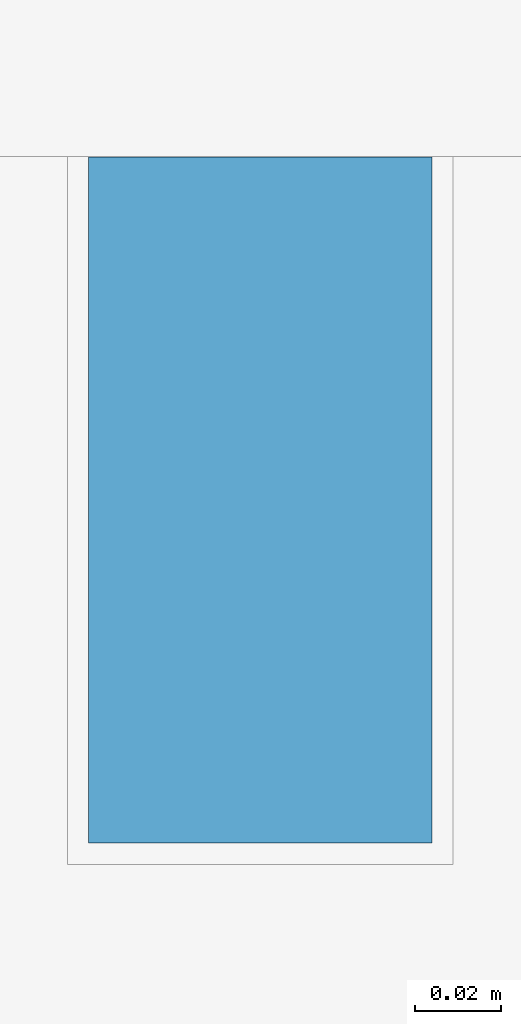
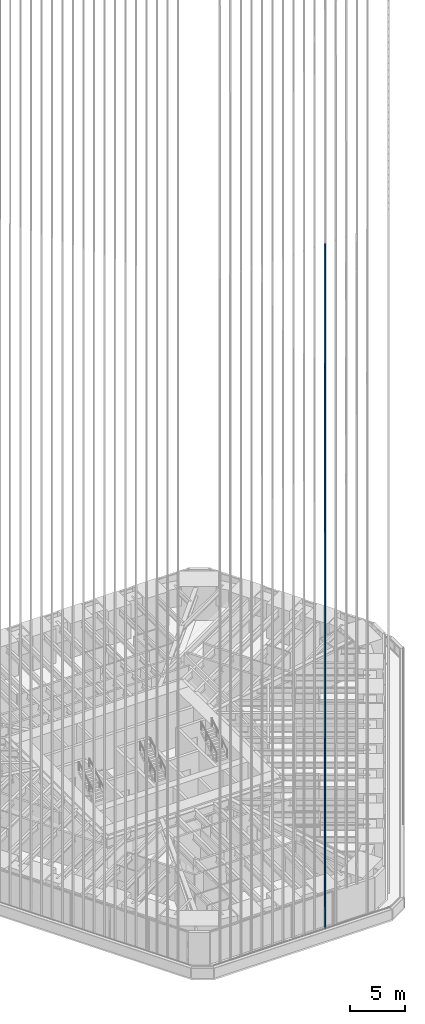
# One storey, part 61 of 238: 1 member, 1 element without a shape of its own.
"""IFC4 building model written with IfcOpenShell, lengths in metres."""

from ifc_helpers import new_model, si_unit, direction, frame, origin, origin_2d, place, context, subcontext, project, spatial, rectangle, extrude, material, material_profile, profile_set, type_object, element, aggregate, save


model = new_model("IFC4")

# Units and contexts
model_context = context("Model", 3, precision=1e-05, world=origin(), true_north=direction((0.0, 1.0)))
body_context = subcontext(model_context, "Body", "Model", "MODEL_VIEW")
ifc_project = project(units=[si_unit("LENGTHUNIT", "METRE"), si_unit("AREAUNIT", "SQUARE_METRE"), si_unit("VOLUMEUNIT", "CUBIC_METRE"), si_unit("PLANEANGLEUNIT", "RADIAN"), si_unit("MASSUNIT", "GRAM", prefix="KILO")], contexts=[model_context])

# Site, building, storey
site_placement = place(None, origin())
site = spatial("IfcSite", under=ifc_project, at=site_placement, CompositionType="ELEMENT")
building_placement = place(site_placement, origin())
building = spatial("IfcBuilding", under=site, at=building_placement, Name="Sandreach Pilgrim Tower", CompositionType="ELEMENT")
storey_placement = place(building_placement, frame((0.0, 0.0, 96.800048828125)))
storey = spatial("IfcBuildingStorey", under=building, at=storey_placement, Name="L23", CompositionType="ELEMENT", Elevation=96.800048828125)

# Curtain wall, member
ifc_material_1 = material(Name="Aluminium framed curtain wall", Category="aluminium")
curtain_wall_type = type_object("IfcCurtainWallType", Name="Hotel tower curtain wall", PredefinedType="NOTDEFINED", material=ifc_material_1)
curtain_wall_placement = place(storey_placement, origin())
curtain_wall = element("IfcCurtainWall", 1, at=curtain_wall_placement, inside=storey, type_object=curtain_wall_type, Name="CW-2 L23 SA", PredefinedType="NOTDEFINED")
ifc_material_2 = material(Name="Extruded terracotta on aluminium core", Category="masonry")
ifc_material_profile = material_profile(ifc_material_2, rectangle(XDim=0.080078125, YDim=0.159912109375, at=origin_2d()), Name="TBS 80X160")
ifc_profile_set = profile_set([ifc_material_profile], Name="Extruded terracotta on aluminium core")
member_type = type_object("IfcMemberType", Name="Terracotta baguette south", PredefinedType="USERDEFINED", material=ifc_profile_set)
member_placement = place(storey_placement, frame((3.3115234375, -28.572265625, 0.0), z_axis=(0.0, 0.0, 1.0), x_axis=(-1.0, 0.0, 0.0)))
member = element("IfcMember", 2, at=member_placement, type_object=member_type, Name="Baguette Z2 S05", ObjectType="BAGUETTE", PredefinedType="USERDEFINED", context=body_context, shape_type="SweptSolid", body=[
    extrude(rectangle(XDim=0.080078125, YDim=0.159912109375, at=origin_2d()), origin(), (0.0, 0.0, 1.0), 75.83984375),
])
aggregate(curtain_wall, [member])

save(model, "model.ifc")
